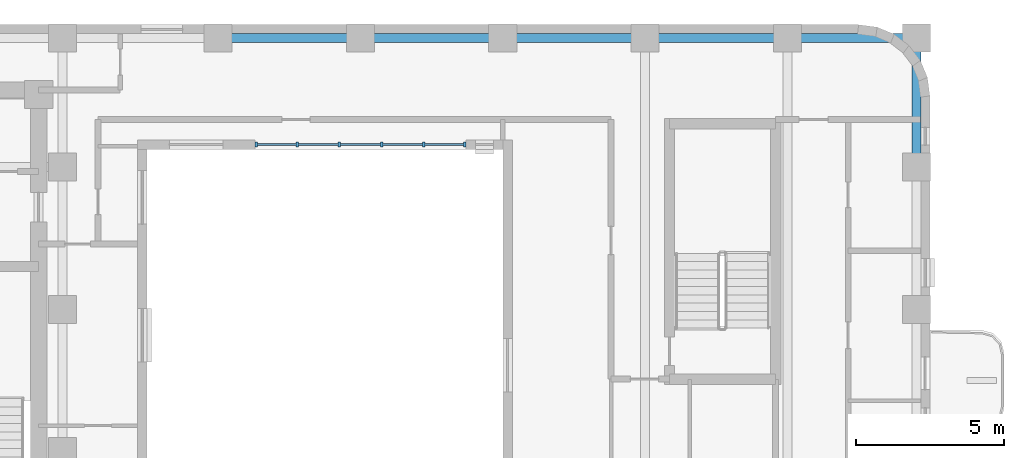
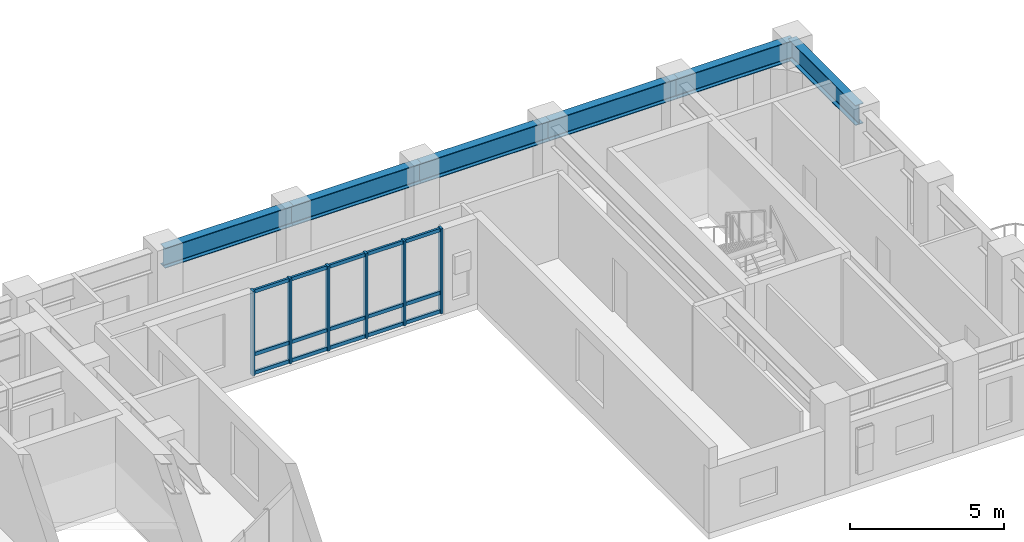
# One storey, part 2 of 11: 21 members, 6 beams, 1 element without a shape of its own.
"""IFC4 building model written with IfcOpenShell, lengths in metres."""

from ifc_helpers import new_model, si_unit, direction, frame, origin, origin_2d, place, context, subcontext, project, spatial, rectangle, i_section, extrude, material, material_profile, profile_set, type_object, element, aggregate, save


model = new_model("IFC4")

# Units and contexts
model_context = context("Model", 3, precision=1e-05, world=origin(), true_north=direction((0.0, 1.0)))
body_context = subcontext(model_context, "Body", "Model", "MODEL_VIEW")
ifc_project = project(units=[si_unit("LENGTHUNIT", "METRE"), si_unit("AREAUNIT", "SQUARE_METRE"), si_unit("VOLUMEUNIT", "CUBIC_METRE"), si_unit("PLANEANGLEUNIT", "RADIAN"), si_unit("MASSUNIT", "GRAM", prefix="KILO")], contexts=[model_context])

# Site, building, storey
site_placement = place(None, origin())
site = spatial("IfcSite", under=ifc_project, at=site_placement, CompositionType="ELEMENT")
building_placement = place(site_placement, origin())
building = spatial("IfcBuilding", under=site, at=building_placement, Name="Orvandelia Arch Residences", CompositionType="ELEMENT")
storey_placement = place(building_placement, frame((0.0, 0.0, 175.60009765625)))
storey = spatial("IfcBuildingStorey", under=building, at=storey_placement, Name="L46", CompositionType="ELEMENT", Elevation=175.60009765625)

# Beams
ifc_material_1 = material(Name="Structural Steel SM355 (355 MPa)", Category="steel")
ifc_material_profile_1 = material_profile(ifc_material_1, i_section(OverallWidth=0.300048828125, OverallDepth=0.800048828125, WebThickness=0.013916015625, FlangeThickness=0.02587890625, FilletRadius=0.02587890625, at=origin_2d()), Name="Structural Steel SM355 (355 MPa)", Category="steel")
ifc_profile_set_1 = profile_set([ifc_material_profile_1], Name="Structural Steel SM355 (355 MPa)")
beam_type = type_object("IfcBeamType", Name="BM-GRD-H800", PredefinedType="BEAM", material=ifc_profile_set_1)
beam_1_placement = place(storey_placement, frame((52.35009765625, 43.199951171875, 2.9599609375), z_axis=(0.0, 1.0, 0.0), x_axis=(-1.0, 0.0, 0.0)))
element("IfcBeam", 1, at=beam_1_placement, inside=storey, type_object=beam_type, Name="Structural Frame Beam L46-NS-021", PredefinedType="BEAM", context=body_context, shape_type="SweptSolid", body=[
    extrude(i_section(OverallWidth=0.300048828125, OverallDepth=0.800048828125, WebThickness=0.013916015625, FlangeThickness=0.02587890625, FilletRadius=0.02587890625, at=origin_2d()), origin(), (0.0, 0.0, 1.0), 4.35009765625),
])
beam_2_placement = place(storey_placement, frame((28.800048828125, 47.550048828125, 2.9599609375), z_axis=(1.0, 0.0, 0.0), x_axis=(0.0, 1.0, 0.0)))
element("IfcBeam", 2, at=beam_2_placement, inside=storey, type_object=beam_type, Name="Structural Frame Girder L46-EW-039", PredefinedType="BEAM", context=body_context, shape_type="SweptSolid", body=[
    extrude(i_section(OverallWidth=0.300048828125, OverallDepth=0.800048828125, WebThickness=0.013916015625, FlangeThickness=0.02587890625, FilletRadius=0.02587890625, at=origin_2d()), origin(), (0.0, 0.0, 1.0), 4.800048828125),
])
beam_3_placement = place(storey_placement, frame((33.60009765625, 47.550048828125, 2.9599609375), z_axis=(1.0, 0.0, 0.0), x_axis=(0.0, 1.0, 0.0)))
element("IfcBeam", 3, at=beam_3_placement, inside=storey, type_object=beam_type, Name="Structural Frame Girder L46-EW-040", PredefinedType="BEAM", context=body_context, shape_type="SweptSolid", body=[
    extrude(i_section(OverallWidth=0.300048828125, OverallDepth=0.800048828125, WebThickness=0.013916015625, FlangeThickness=0.02587890625, FilletRadius=0.02587890625, at=origin_2d()), origin(), (0.0, 0.0, 1.0), 4.7998046875),
])
for number, where, z_axis, x_axis, name in (
    (4, (38.39990234375, 47.550048828125, 2.9599609375), (1.0, 0.0, 0.0), (0.0, 1.0, 0.0), "Structural Frame Girder L46-EW-041"),
    (5, (43.199951171875, 47.550048828125, 2.9599609375), (1.0, 0.0, 0.0), (0.0, 1.0, 0.0), "Structural Frame Girder L46-EW-042"),
):
    element("IfcBeam", number, at=place(storey_placement, frame(where, z_axis=z_axis, x_axis=x_axis)), inside=storey, type_object=beam_type, Name=name, PredefinedType="BEAM", context=body_context, shape_type="SweptSolid", body=[
        extrude(i_section(OverallWidth=0.300048828125, OverallDepth=0.800048828125, WebThickness=0.013916015625, FlangeThickness=0.02587890625, FilletRadius=0.02587890625, at=origin_2d()), origin(), (0.0, 0.0, 1.0), 4.800048828125),
    ])
beam_4_placement = place(storey_placement, frame((48.0, 47.550048828125, 2.9599609375), z_axis=(1.0, 0.0, 0.0), x_axis=(0.0, 1.0, 0.0)))
element("IfcBeam", 6, at=beam_4_placement, inside=storey, type_object=beam_type, Name="Structural Frame Girder L46-EW-043", PredefinedType="BEAM", context=body_context, shape_type="SweptSolid", body=[
    extrude(i_section(OverallWidth=0.300048828125, OverallDepth=0.800048828125, WebThickness=0.013916015625, FlangeThickness=0.02587890625, FilletRadius=0.02587890625, at=origin_2d()), origin(), (0.0, 0.0, 1.0), 4.35009765625),
])

# Curtain wall, members
ifc_material_2 = material(Name="Anodised Bronze Curtain Wall Assembly")
curtain_wall_type = type_object("IfcCurtainWallType", Name="CW-SYS4-PORTAL", PredefinedType="NOTDEFINED", material=ifc_material_2)
curtain_wall_placement = place(storey_placement, origin())
curtain_wall = element("IfcCurtainWall", 7, at=curtain_wall_placement, inside=storey, type_object=curtain_wall_type, Name="Void-Portal Bridge Curtain Wall L46 1", PredefinedType="NOTDEFINED")
ifc_material_3 = material(Name="Anodised Aluminium Alloy 6063-T6", Category="aluminium")
ifc_material_profile_2 = material_profile(ifc_material_3, rectangle(XDim=0.080078125, YDim=0.179931640625, at=origin_2d()), Name="Anodised Aluminium Alloy 6063-T6", Category="aluminium")
ifc_profile_set_2 = profile_set([ifc_material_profile_2], Name="Anodised Aluminium Alloy 6063-T6")
member_type_1 = type_object("IfcMemberType", Name="CW-MULLION-80x160", PredefinedType="MULLION", material=ifc_profile_set_2)
member_1_placement = place(storey_placement, frame((30.080078125, 43.9599609375, 0.0), z_axis=(0.0, 0.0, 1.0), x_axis=(1.0, 0.0, 0.0)))
member_1 = element("IfcMember", 8, at=member_1_placement, type_object=member_type_1, Name="Curtain Wall Mullion CW-L46-1-M1", PredefinedType="MULLION", context=body_context, shape_type="SweptSolid", body=[
    extrude(rectangle(XDim=0.080078125, YDim=0.179931640625, at=origin_2d()), origin(), (0.0, 0.0, 1.0), 3.35986328125),
])
member_2_placement = place(storey_placement, frame((31.464111328125, 43.9599609375, 0.0), z_axis=(0.0, 0.0, 1.0), x_axis=(1.0, 0.0, 0.0)))
member_2 = element("IfcMember", 9, at=member_2_placement, type_object=member_type_1, Name="Curtain Wall Mullion CW-L46-1-M2", PredefinedType="MULLION", context=body_context, shape_type="SweptSolid", body=[
    extrude(rectangle(XDim=0.080078125, YDim=0.179931640625, at=origin_2d()), origin(), (0.0, 0.0, 1.0), 3.35986328125),
])
member_3_placement = place(storey_placement, frame((32.887939453125, 43.9599609375, 0.0), z_axis=(0.0, 0.0, 1.0), x_axis=(1.0, 0.0, 0.0)))
member_3 = element("IfcMember", 10, at=member_3_placement, type_object=member_type_1, Name="Curtain Wall Mullion CW-L46-1-M3", PredefinedType="MULLION", context=body_context, shape_type="SweptSolid", body=[
    extrude(rectangle(XDim=0.080078125, YDim=0.179931640625, at=origin_2d()), origin(), (0.0, 0.0, 1.0), 3.35986328125),
])
member_4_placement = place(storey_placement, frame((34.31201171875, 43.9599609375, 0.0), z_axis=(0.0, 0.0, 1.0), x_axis=(1.0, 0.0, 0.0)))
member_4 = element("IfcMember", 11, at=member_4_placement, type_object=member_type_1, Name="Curtain Wall Mullion CW-L46-1-M4", PredefinedType="MULLION", context=body_context, shape_type="SweptSolid", body=[
    extrude(rectangle(XDim=0.080078125, YDim=0.179931640625, at=origin_2d()), origin(), (0.0, 0.0, 1.0), 3.35986328125),
])
member_5_placement = place(storey_placement, frame((35.736083984375, 43.9599609375, 0.0), z_axis=(0.0, 0.0, 1.0), x_axis=(1.0, 0.0, 0.0)))
member_5 = element("IfcMember", 12, at=member_5_placement, type_object=member_type_1, Name="Curtain Wall Mullion CW-L46-1-M5", PredefinedType="MULLION", context=body_context, shape_type="SweptSolid", body=[
    extrude(rectangle(XDim=0.080078125, YDim=0.179931640625, at=origin_2d()), origin(), (0.0, 0.0, 1.0), 3.35986328125),
])
member_6_placement = place(storey_placement, frame((37.1201171875, 43.9599609375, 0.0), z_axis=(0.0, 0.0, 1.0), x_axis=(1.0, 0.0, 0.0)))
member_6 = element("IfcMember", 13, at=member_6_placement, type_object=member_type_1, Name="Curtain Wall Mullion CW-L46-1-M6", PredefinedType="MULLION", context=body_context, shape_type="SweptSolid", body=[
    extrude(rectangle(XDim=0.080078125, YDim=0.179931640625, at=origin_2d()), origin(), (0.0, 0.0, 1.0), 3.35986328125),
])
ifc_material_profile_3 = material_profile(ifc_material_3, rectangle(XDim=0.080078125, YDim=0.139892578125, at=origin_2d()), Name="Anodised Aluminium Alloy 6063-T6", Category="aluminium")
ifc_profile_set_3 = profile_set([ifc_material_profile_3], Name="Anodised Aluminium Alloy 6063-T6")
member_type_2 = type_object("IfcMemberType", Name="CW-TRANSOM-80x140", PredefinedType="USERDEFINED", material=ifc_profile_set_3)
member_7_placement = place(storey_placement, frame((30.10498046875, 43.9599609375, 0.06982421875), z_axis=(1.0, 0.0, 0.0), x_axis=(0.0, 1.0, 0.0)))
member_7 = element("IfcMember", 14, at=member_7_placement, type_object=member_type_2, Name="Curtain Wall Transom CW-L46-1-T1-1", ObjectType="TRANSOM", PredefinedType="USERDEFINED", context=body_context, shape_type="SweptSolid", body=[
    extrude(rectangle(XDim=0.080078125, YDim=0.139892578125, at=origin_2d()), origin(), (0.0, 0.0, 1.0), 1.333984375),
])
member_8_placement = place(storey_placement, frame((30.10498046875, 43.9599609375, 0.806396484375), z_axis=(1.0, 0.0, 0.0), x_axis=(0.0, 1.0, 0.0)))
member_8 = element("IfcMember", 15, at=member_8_placement, type_object=member_type_2, Name="Curtain Wall Transom CW-L46-1-T1-2", ObjectType="TRANSOM", PredefinedType="USERDEFINED", context=body_context, shape_type="SweptSolid", body=[
    extrude(rectangle(XDim=0.080078125, YDim=0.139892578125, at=origin_2d()), origin(), (0.0, 0.0, 1.0), 1.333984375),
])
member_9_placement = place(storey_placement, frame((30.10498046875, 43.9599609375, 3.289794921875), z_axis=(1.0, 0.0, 0.0), x_axis=(0.0, 1.0, 0.0)))
member_9 = element("IfcMember", 16, at=member_9_placement, type_object=member_type_2, Name="Curtain Wall Transom CW-L46-1-T1-3", ObjectType="TRANSOM", PredefinedType="USERDEFINED", context=body_context, shape_type="SweptSolid", body=[
    extrude(rectangle(XDim=0.080078125, YDim=0.139892578125, at=origin_2d()), origin(), (0.0, 0.0, 1.0), 1.333984375),
])
member_10_placement = place(storey_placement, frame((31.489013671875, 43.9599609375, 0.06982421875), z_axis=(1.0, 0.0, 0.0), x_axis=(0.0, 1.0, 0.0)))
member_10 = element("IfcMember", 17, at=member_10_placement, type_object=member_type_2, Name="Curtain Wall Transom CW-L46-1-T2-1", ObjectType="TRANSOM", PredefinedType="USERDEFINED", context=body_context, shape_type="SweptSolid", body=[
    extrude(rectangle(XDim=0.080078125, YDim=0.139892578125, at=origin_2d()), origin(), (0.0, 0.0, 1.0), 1.3740234375),
])
member_11_placement = place(storey_placement, frame((31.489013671875, 43.9599609375, 0.806396484375), z_axis=(1.0, 0.0, 0.0), x_axis=(0.0, 1.0, 0.0)))
member_11 = element("IfcMember", 18, at=member_11_placement, type_object=member_type_2, Name="Curtain Wall Transom CW-L46-1-T2-2", ObjectType="TRANSOM", PredefinedType="USERDEFINED", context=body_context, shape_type="SweptSolid", body=[
    extrude(rectangle(XDim=0.080078125, YDim=0.139892578125, at=origin_2d()), origin(), (0.0, 0.0, 1.0), 1.3740234375),
])
member_12_placement = place(storey_placement, frame((31.489013671875, 43.9599609375, 3.289794921875), z_axis=(1.0, 0.0, 0.0), x_axis=(0.0, 1.0, 0.0)))
member_12 = element("IfcMember", 19, at=member_12_placement, type_object=member_type_2, Name="Curtain Wall Transom CW-L46-1-T2-3", ObjectType="TRANSOM", PredefinedType="USERDEFINED", context=body_context, shape_type="SweptSolid", body=[
    extrude(rectangle(XDim=0.080078125, YDim=0.139892578125, at=origin_2d()), origin(), (0.0, 0.0, 1.0), 1.3740234375),
])
member_13_placement = place(storey_placement, frame((32.9130859375, 43.9599609375, 0.06982421875), z_axis=(1.0, 0.0, 0.0), x_axis=(0.0, 1.0, 0.0)))
member_13 = element("IfcMember", 20, at=member_13_placement, type_object=member_type_2, Name="Curtain Wall Transom CW-L46-1-T3-1", ObjectType="TRANSOM", PredefinedType="USERDEFINED", context=body_context, shape_type="SweptSolid", body=[
    extrude(rectangle(XDim=0.080078125, YDim=0.139892578125, at=origin_2d()), origin(), (0.0, 0.0, 1.0), 1.3740234375),
])
member_14_placement = place(storey_placement, frame((32.9130859375, 43.9599609375, 0.806396484375), z_axis=(1.0, 0.0, 0.0), x_axis=(0.0, 1.0, 0.0)))
member_14 = element("IfcMember", 21, at=member_14_placement, type_object=member_type_2, Name="Curtain Wall Transom CW-L46-1-T3-2", ObjectType="TRANSOM", PredefinedType="USERDEFINED", context=body_context, shape_type="SweptSolid", body=[
    extrude(rectangle(XDim=0.080078125, YDim=0.139892578125, at=origin_2d()), origin(), (0.0, 0.0, 1.0), 1.3740234375),
])
member_15_placement = place(storey_placement, frame((32.9130859375, 43.9599609375, 3.289794921875), z_axis=(1.0, 0.0, 0.0), x_axis=(0.0, 1.0, 0.0)))
member_15 = element("IfcMember", 22, at=member_15_placement, type_object=member_type_2, Name="Curtain Wall Transom CW-L46-1-T3-3", ObjectType="TRANSOM", PredefinedType="USERDEFINED", context=body_context, shape_type="SweptSolid", body=[
    extrude(rectangle(XDim=0.080078125, YDim=0.139892578125, at=origin_2d()), origin(), (0.0, 0.0, 1.0), 1.3740234375),
])
member_16_placement = place(storey_placement, frame((34.3369140625, 43.9599609375, 0.06982421875), z_axis=(1.0, 0.0, 0.0), x_axis=(0.0, 1.0, 0.0)))
member_16 = element("IfcMember", 23, at=member_16_placement, type_object=member_type_2, Name="Curtain Wall Transom CW-L46-1-T4-1", ObjectType="TRANSOM", PredefinedType="USERDEFINED", context=body_context, shape_type="SweptSolid", body=[
    extrude(rectangle(XDim=0.080078125, YDim=0.139892578125, at=origin_2d()), origin(), (0.0, 0.0, 1.0), 1.3740234375),
])
member_17_placement = place(storey_placement, frame((34.3369140625, 43.9599609375, 0.806396484375), z_axis=(1.0, 0.0, 0.0), x_axis=(0.0, 1.0, 0.0)))
member_17 = element("IfcMember", 24, at=member_17_placement, type_object=member_type_2, Name="Curtain Wall Transom CW-L46-1-T4-2", ObjectType="TRANSOM", PredefinedType="USERDEFINED", context=body_context, shape_type="SweptSolid", body=[
    extrude(rectangle(XDim=0.080078125, YDim=0.139892578125, at=origin_2d()), origin(), (0.0, 0.0, 1.0), 1.3740234375),
])
member_18_placement = place(storey_placement, frame((34.3369140625, 43.9599609375, 3.289794921875), z_axis=(1.0, 0.0, 0.0), x_axis=(0.0, 1.0, 0.0)))
member_18 = element("IfcMember", 25, at=member_18_placement, type_object=member_type_2, Name="Curtain Wall Transom CW-L46-1-T4-3", ObjectType="TRANSOM", PredefinedType="USERDEFINED", context=body_context, shape_type="SweptSolid", body=[
    extrude(rectangle(XDim=0.080078125, YDim=0.139892578125, at=origin_2d()), origin(), (0.0, 0.0, 1.0), 1.3740234375),
])
member_19_placement = place(storey_placement, frame((35.760986328125, 43.9599609375, 0.06982421875), z_axis=(1.0, 0.0, 0.0), x_axis=(0.0, 1.0, 0.0)))
member_19 = element("IfcMember", 26, at=member_19_placement, type_object=member_type_2, Name="Curtain Wall Transom CW-L46-1-T5-1", ObjectType="TRANSOM", PredefinedType="USERDEFINED", context=body_context, shape_type="SweptSolid", body=[
    extrude(rectangle(XDim=0.080078125, YDim=0.139892578125, at=origin_2d()), origin(), (0.0, 0.0, 1.0), 1.333984375),
])
member_20_placement = place(storey_placement, frame((35.760986328125, 43.9599609375, 0.806396484375), z_axis=(1.0, 0.0, 0.0), x_axis=(0.0, 1.0, 0.0)))
member_20 = element("IfcMember", 27, at=member_20_placement, type_object=member_type_2, Name="Curtain Wall Transom CW-L46-1-T5-2", ObjectType="TRANSOM", PredefinedType="USERDEFINED", context=body_context, shape_type="SweptSolid", body=[
    extrude(rectangle(XDim=0.080078125, YDim=0.139892578125, at=origin_2d()), origin(), (0.0, 0.0, 1.0), 1.333984375),
])
member_21_placement = place(storey_placement, frame((35.760986328125, 43.9599609375, 3.289794921875), z_axis=(1.0, 0.0, 0.0), x_axis=(0.0, 1.0, 0.0)))
member_21 = element("IfcMember", 28, at=member_21_placement, type_object=member_type_2, Name="Curtain Wall Transom CW-L46-1-T5-3", ObjectType="TRANSOM", PredefinedType="USERDEFINED", context=body_context, shape_type="SweptSolid", body=[
    extrude(rectangle(XDim=0.080078125, YDim=0.139892578125, at=origin_2d()), origin(), (0.0, 0.0, 1.0), 1.333984375),
])
aggregate(curtain_wall, [member_1, member_2, member_3, member_4, member_5, member_6, member_7, member_8, member_9, member_10, member_11, member_12, member_13, member_14, member_15, member_16, member_17, member_18, member_19, member_20, member_21])

save(model, "model.ifc")
